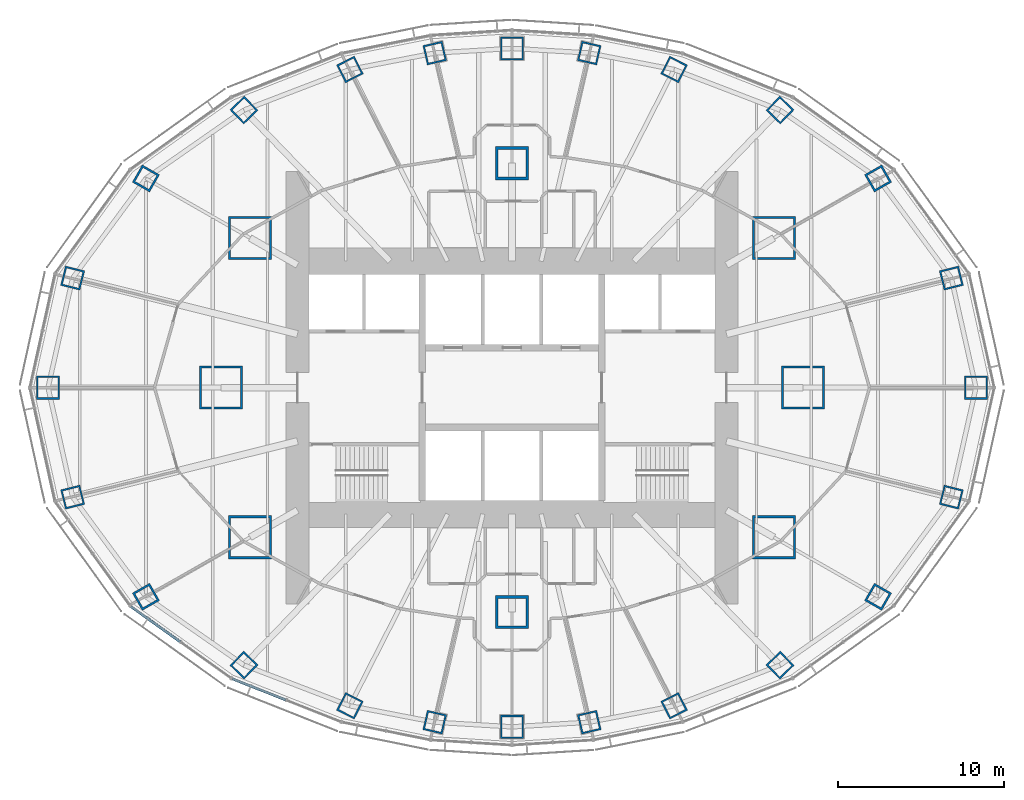
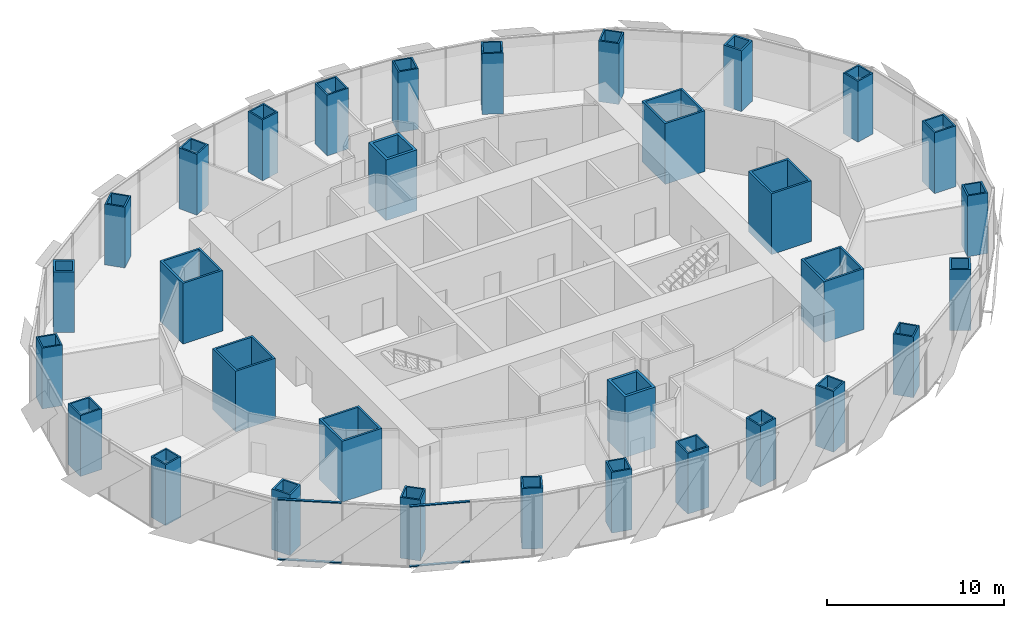
# One storey, part 1 of 17: 32 columns, 4 members, 2 elements without a shape of their own.
"""IFC4 building model written with IfcOpenShell, lengths in metres."""

from ifc_helpers import new_model, si_unit, direction, frame, origin, origin_2d, place, context, subcontext, project, spatial, rectangle, hollow_rectangle, extrude, material, material_profile, profile_set, type_object, element, aggregate, save


model = new_model("IFC4")

# Units and contexts
model_context = context("Model", 3, precision=1e-05, world=origin(), true_north=direction((0.0, 1.0)))
body_context = subcontext(model_context, "Body", "Model", "MODEL_VIEW")
ifc_project = project(units=[si_unit("LENGTHUNIT", "METRE"), si_unit("AREAUNIT", "SQUARE_METRE"), si_unit("VOLUMEUNIT", "CUBIC_METRE"), si_unit("PLANEANGLEUNIT", "RADIAN"), si_unit("MASSUNIT", "GRAM", prefix="KILO")], contexts=[model_context])

# Site, building, storey
site_placement = place(None, origin())
site = spatial("IfcSite", under=ifc_project, at=site_placement, CompositionType="ELEMENT")
building_placement = place(site_placement, origin())
building = spatial("IfcBuilding", under=site, at=building_placement, Name="Lantaw Convention Tower", CompositionType="ELEMENT")
storey_placement = place(building_placement, frame((0.0, 0.0, 159.39990234375)))
storey = spatial("IfcBuildingStorey", under=building, at=storey_placement, Name="L37", CompositionType="ELEMENT", Elevation=159.39990234375)

# Columns
ifc_material_1 = material(Name="Steel EN 10025-3 S460N", Category="steel")
ifc_material_profile_1 = material_profile(ifc_material_1, hollow_rectangle(XDim=2.0, YDim=2.0, WallThickness=0.169921875, at=origin_2d()), Name="BOX2000X170")
ifc_material_2 = material(Name="Concrete C60/75", Category="concrete")
ifc_material_profile_2 = material_profile(ifc_material_2, rectangle(XDim=1.659912109375, YDim=1.659912109375, at=origin_2d()), Name="Concrete fill of BOX2000X170")
ifc_profile_set_1 = profile_set([ifc_material_profile_1, ifc_material_profile_2], Name="Steel EN 10025-3 S460N")
column_type_1 = type_object("IfcColumnType", Name="Column MC BOX2000X170", PredefinedType="COLUMN", material=ifc_profile_set_1)
for number, where, z_axis, x_axis, name in (
    (1, (0.0, 13.5, 0.0), (0.0, 0.0, 1.0), (1.0, 0.0, 0.0), "Mega column M3"),
    (2, (0.0, -13.5, 0.0), (0.0, 0.0, 1.0), (1.0, 0.0, 0.0), "Mega column M7"),
):
    element("IfcColumn", number, at=place(storey_placement, frame(where, z_axis=z_axis, x_axis=x_axis)), inside=storey, type_object=column_type_1, Name=name, PredefinedType="COLUMN", context=body_context, shape_type="SweptSolid", body=[
        extrude(hollow_rectangle(XDim=2.0, YDim=2.0, WallThickness=0.169921875, at=origin_2d()), origin(), (0.0, 0.0, 1.0), 4.2001953125),
    ])
ifc_material_profile_3 = material_profile(ifc_material_1, hollow_rectangle(XDim=2.60009765625, YDim=2.60009765625, WallThickness=0.1298828125, at=origin_2d()), Name="BOX2600X130")
ifc_material_profile_4 = material_profile(ifc_material_2, rectangle(XDim=2.340087890625, YDim=2.340087890625, at=origin_2d()), Name="Concrete fill of BOX2600X130")
ifc_profile_set_2 = profile_set([ifc_material_profile_3, ifc_material_profile_4], Name="Steel EN 10025-3 S460N")
column_type_2 = type_object("IfcColumnType", Name="Column MC BOX2600X130", PredefinedType="COLUMN", material=ifc_profile_set_2)
for number, where, z_axis, x_axis, name in (
    (3, (17.5, 0.0, 0.0), (0.0, 0.0, 1.0), (1.0, 0.0, 0.0), "Mega column M1"),
    (4, (15.75, 9.0, 0.0), (0.0, 0.0, 1.0), (1.0, 0.0, 0.0), "Mega column M2"),
    (5, (-15.75, 9.0, 0.0), (0.0, 0.0, 1.0), (1.0, 0.0, 0.0), "Mega column M4"),
    (6, (-17.5, 0.0, 0.0), (0.0, 0.0, 1.0), (1.0, 0.0, 0.0), "Mega column M5"),
    (7, (-15.75, -9.0, 0.0), (0.0, 0.0, 1.0), (1.0, 0.0, 0.0), "Mega column M6"),
    (8, (15.75, -9.0, 0.0), (0.0, 0.0, 1.0), (1.0, 0.0, 0.0), "Mega column M8"),
):
    element("IfcColumn", number, at=place(storey_placement, frame(where, z_axis=z_axis, x_axis=x_axis)), inside=storey, type_object=column_type_2, Name=name, PredefinedType="COLUMN", context=body_context, shape_type="SweptSolid", body=[
        extrude(hollow_rectangle(XDim=2.60009765625, YDim=2.60009765625, WallThickness=0.1298828125, at=origin_2d()), origin(), (0.0, 0.0, 1.0), 4.2001953125),
    ])
ifc_material_profile_5 = material_profile(ifc_material_1, hollow_rectangle(XDim=1.199951171875, YDim=1.199951171875, WallThickness=0.10009765625, at=origin_2d()), Name="BOX1200X100")
ifc_material_profile_6 = material_profile(ifc_material_2, rectangle(XDim=1.0, YDim=1.0, at=origin_2d()), Name="Concrete fill of BOX1200X100")
ifc_profile_set_3 = profile_set([ifc_material_profile_5, ifc_material_profile_6], Name="Steel EN 10025-3 S460N")
column_type_3 = type_object("IfcColumnType", Name="Column PC BOX1200X100", PredefinedType="COLUMN", material=ifc_profile_set_3)
for number, where, z_axis, x_axis, name in (
    (9, (26.419921875, 6.587158203125, 0.0), (0.0, 0.0, 1.0), (0.970295726276, 0.2419218956, 0.0), "Perimeter column P2"),
    (10, (16.11767578125, 16.690185546875, 0.0), (0.0, 0.0, 1.0), (0.694658370459, 0.719339800339, 0.0), "Perimeter column P4"),
    (11, (9.74853515625, 19.1328125, 0.0), (0.0, 0.0, 1.0), (0.45399049974, 0.891006524188, 0.0), "Perimeter column P5"),
    (12, (4.64501953125, 20.1201171875, 0.0), (0.0, 0.0, 1.0), (0.224951054344, 0.974370064785, 0.0), "Perimeter column P6"),
    (13, (-4.64501953125, 20.1201171875, 0.0), (0.0, 0.0, 1.0), (0.974370064785, 0.224951054344, 0.0), "Perimeter column P8"),
    (14, (-9.74853515625, 19.1328125, 0.0), (0.0, 0.0, 1.0), (0.891006524188, 0.45399049974, 0.0), "Perimeter column P9"),
    (15, (-16.11767578125, 16.690185546875, 0.0), (0.0, 0.0, 1.0), (0.719339800339, 0.694658370459, 0.0), "Perimeter column P10"),
    (16, (-26.419921875, 6.587158203125, 0.0), (0.0, 0.0, 1.0), (0.2419218956, 0.970295726276, 0.0), "Perimeter column P12"),
    (17, (-26.419921875, -6.587158203125, 0.0), (0.0, 0.0, 1.0), (0.970295726276, 0.2419218956, 0.0), "Perimeter column P14"),
    (18, (-16.11767578125, -16.690185546875, 0.0), (0.0, 0.0, 1.0), (0.694658370459, 0.719339800339, 0.0), "Perimeter column P16"),
    (19, (-9.74853515625, -19.1328125, 0.0), (0.0, 0.0, 1.0), (0.45399049974, 0.891006524188, 0.0), "Perimeter column P17"),
    (20, (-4.64501953125, -20.1201171875, 0.0), (0.0, 0.0, 1.0), (0.224951054344, 0.974370064785, 0.0), "Perimeter column P18"),
    (21, (4.64501953125, -20.1201171875, 0.0), (0.0, 0.0, 1.0), (0.974370064785, 0.224951054344, 0.0), "Perimeter column P20"),
    (22, (9.74853515625, -19.1328125, 0.0), (0.0, 0.0, 1.0), (0.891006524188, 0.45399049974, 0.0), "Perimeter column P21"),
    (23, (16.11767578125, -16.690185546875, 0.0), (0.0, 0.0, 1.0), (0.719339800339, 0.694658370459, 0.0), "Perimeter column P22"),
    (24, (26.419921875, -6.587158203125, 0.0), (0.0, 0.0, 1.0), (0.2419218956, 0.970295726276, 0.0), "Perimeter column P24"),
):
    element("IfcColumn", number, at=place(storey_placement, frame(where, z_axis=z_axis, x_axis=x_axis)), inside=storey, type_object=column_type_3, Name=name, PredefinedType="COLUMN", context=body_context, shape_type="SweptSolid", body=[
        extrude(hollow_rectangle(XDim=1.199951171875, YDim=1.199951171875, WallThickness=0.10009765625, at=origin_2d()), origin(), (0.0, 0.0, 1.0), 4.2001953125),
    ])
ifc_material_profile_7 = material_profile(ifc_material_1, hollow_rectangle(XDim=1.199951171875, YDim=1.199951171875, WallThickness=0.1201171875, at=origin_2d()), Name="BOX1200X120")
ifc_material_profile_8 = material_profile(ifc_material_2, rectangle(XDim=0.9599609375, YDim=0.9599609375, at=origin_2d()), Name="Concrete fill of BOX1200X120")
ifc_profile_set_4 = profile_set([ifc_material_profile_7, ifc_material_profile_8], Name="Steel EN 10025-3 S460N")
column_type_4 = type_object("IfcColumnType", Name="Column PC BOX1200X120", PredefinedType="COLUMN", material=ifc_profile_set_4)
for number, where, z_axis, x_axis, name in (
    (25, (22.013916015625, 12.579345703125, 0.0), (0.0, 0.0, 1.0), (0.86824298017, 0.496139221777, 0.0), "Perimeter column P3"),
    (26, (-22.013916015625, 12.579345703125, 0.0), (0.0, 0.0, 1.0), (0.496139221777, 0.86824298017, 0.0), "Perimeter column P11"),
    (27, (-22.013916015625, -12.579345703125, 0.0), (0.0, 0.0, 1.0), (0.86824298017, 0.496139221777, 0.0), "Perimeter column P15"),
    (28, (22.013916015625, -12.579345703125, 0.0), (0.0, 0.0, 1.0), (0.496139221777, 0.86824298017, 0.0), "Perimeter column P23"),
):
    element("IfcColumn", number, at=place(storey_placement, frame(where, z_axis=z_axis, x_axis=x_axis)), inside=storey, type_object=column_type_4, Name=name, PredefinedType="COLUMN", context=body_context, shape_type="SweptSolid", body=[
        extrude(hollow_rectangle(XDim=1.199951171875, YDim=1.199951171875, WallThickness=0.1201171875, at=origin_2d()), origin(), (0.0, 0.0, 1.0), 4.2001953125),
    ])
ifc_material_profile_9 = material_profile(ifc_material_1, hollow_rectangle(XDim=1.39990234375, YDim=1.39990234375, WallThickness=0.10009765625, at=origin_2d()), Name="BOX1400X100")
ifc_material_profile_10 = material_profile(ifc_material_2, rectangle(XDim=1.199951171875, YDim=1.199951171875, at=origin_2d()), Name="Concrete fill of BOX1400X100")
ifc_profile_set_5 = profile_set([ifc_material_profile_9, ifc_material_profile_10], Name="Steel EN 10025-3 S460N")
column_type_5 = type_object("IfcColumnType", Name="Column PC BOX1400X100", PredefinedType="COLUMN", material=ifc_profile_set_5)
for number, where, z_axis, x_axis, name in (
    (29, (27.89990234375, 0.0, 0.0), (0.0, 0.0, 1.0), (1.0, 0.0, 0.0), "Perimeter column P1"),
    (30, (0.0, 20.39990234375, 0.0), (0.0, 0.0, 1.0), (1.0, 0.0, 0.0), "Perimeter column P7"),
    (31, (-27.89990234375, 0.0, 0.0), (0.0, 0.0, 1.0), (1.0, 0.0, 0.0), "Perimeter column P13"),
    (32, (0.0, -20.39990234375, 0.0), (0.0, 0.0, 1.0), (1.0, 0.0, 0.0), "Perimeter column P19"),
):
    element("IfcColumn", number, at=place(storey_placement, frame(where, z_axis=z_axis, x_axis=x_axis)), inside=storey, type_object=column_type_5, Name=name, PredefinedType="COLUMN", context=body_context, shape_type="SweptSolid", body=[
        extrude(hollow_rectangle(XDim=1.39990234375, YDim=1.39990234375, WallThickness=0.10009765625, at=origin_2d()), origin(), (0.0, 0.0, 1.0), 4.2001953125),
    ])

# Curtain wall, members
ifc_material_3 = material(Name="Aluminium framed curtain wall", Category="aluminium")
curtain_wall_type = type_object("IfcCurtainWallType", Name="Office curtain wall low rise, pale aluminium", PredefinedType="USERDEFINED", material=ifc_material_3)
curtain_wall_1_placement = place(storey_placement, origin())
curtain_wall_1 = element("IfcCurtainWall", 33, at=curtain_wall_1_placement, inside=storey, type_object=curtain_wall_type, Name="Office curtain wall low rise, pale aluminium L37", ObjectType="UNITISED CURTAIN WALL", PredefinedType="USERDEFINED")
ifc_material_4 = material(Name="Aluminium 6063-T6", Category="aluminium")
ifc_material_profile_11 = material_profile(ifc_material_4, rectangle(XDim=0.159912109375, YDim=0.06494140625, at=origin_2d()), Name="CW-O1 transom 65x160")
ifc_profile_set_6 = profile_set([ifc_material_profile_11], Name="Aluminium 6063-T6")
member_type = type_object("IfcMemberType", Name="CW-O1 transom 65x160", PredefinedType="USERDEFINED", material=ifc_profile_set_6)
member_1_placement = place(storey_placement, frame((-22.916259765625, -13.1630859375, -0.117431640625), z_axis=(0.813221785972, -0.581953887194, 0.0), x_axis=(0.581953887194, 0.813221785972, 0.0)))
member_1 = element("IfcMember", 34, at=member_1_placement, type_object=member_type, Name="CW-O1 transom 1.1", ObjectType="TRANSOM", PredefinedType="USERDEFINED", context=body_context, shape_type="SweptSolid", body=[
    extrude(rectangle(XDim=0.159912109375, YDim=0.06494140625, at=origin_2d()), origin(), (0.0, 0.0, 1.0), 3.645263671875),
])
member_2_placement = place(storey_placement, frame((-22.916259765625, -13.1630859375, 4.017578125), z_axis=(0.813221785972, -0.581953887194, 0.0), x_axis=(0.581953887194, 0.813221785972, 0.0)))
member_2 = element("IfcMember", 35, at=member_2_placement, type_object=member_type, Name="CW-O1 transom 1.2", ObjectType="TRANSOM", PredefinedType="USERDEFINED", context=body_context, shape_type="SweptSolid", body=[
    extrude(rectangle(XDim=0.159912109375, YDim=0.06494140625, at=origin_2d()), origin(), (0.0, 0.0, 1.0), 3.645263671875),
])
aggregate(curtain_wall_1, [member_1, member_2])

curtain_wall_2_placement = place(storey_placement, origin())
curtain_wall_2 = element("IfcCurtainWall", 36, at=curtain_wall_2_placement, inside=storey, type_object=curtain_wall_type, Name="Office curtain wall low rise, pale aluminium L37", ObjectType="UNITISED CURTAIN WALL", PredefinedType="USERDEFINED")
member_3_placement = place(storey_placement, frame((-16.8212890625, -17.505615234375, -0.117431640625), z_axis=(0.929564188507, -0.368660303592, 0.0), x_axis=(0.368660303592, 0.929564188507, 0.0)))
member_3 = element("IfcMember", 37, at=member_3_placement, type_object=member_type, Name="CW-O1 transom 1.1", ObjectType="TRANSOM", PredefinedType="USERDEFINED", context=body_context, shape_type="SweptSolid", body=[
    extrude(rectangle(XDim=0.159912109375, YDim=0.06494140625, at=origin_2d()), origin(), (0.0, 0.0, 1.0), 3.470703125),
])
member_4_placement = place(storey_placement, frame((-16.8212890625, -17.505615234375, 4.017578125), z_axis=(0.929564188507, -0.368660303592, 0.0), x_axis=(0.368660303592, 0.929564188507, 0.0)))
member_4 = element("IfcMember", 38, at=member_4_placement, type_object=member_type, Name="CW-O1 transom 1.2", ObjectType="TRANSOM", PredefinedType="USERDEFINED", context=body_context, shape_type="SweptSolid", body=[
    extrude(rectangle(XDim=0.159912109375, YDim=0.06494140625, at=origin_2d()), origin(), (0.0, 0.0, 1.0), 3.470703125),
])
aggregate(curtain_wall_2, [member_3, member_4])

save(model, "model.ifc")
